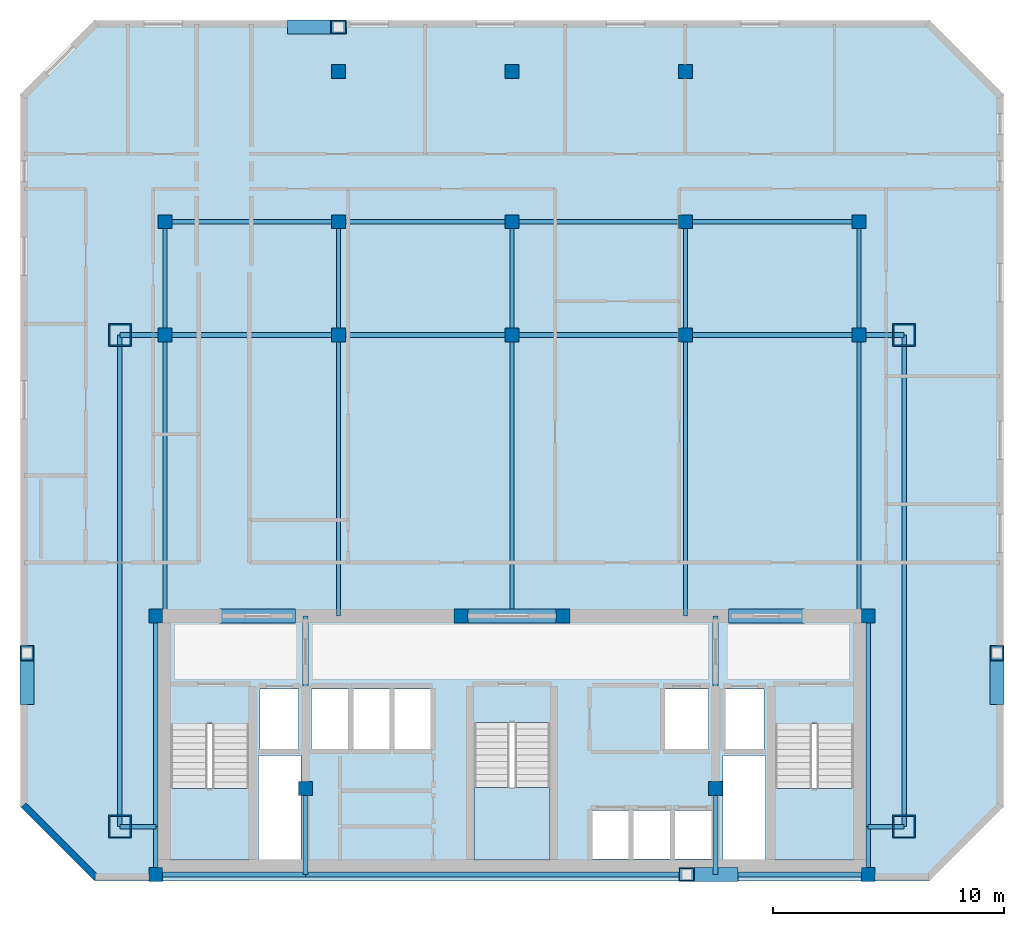
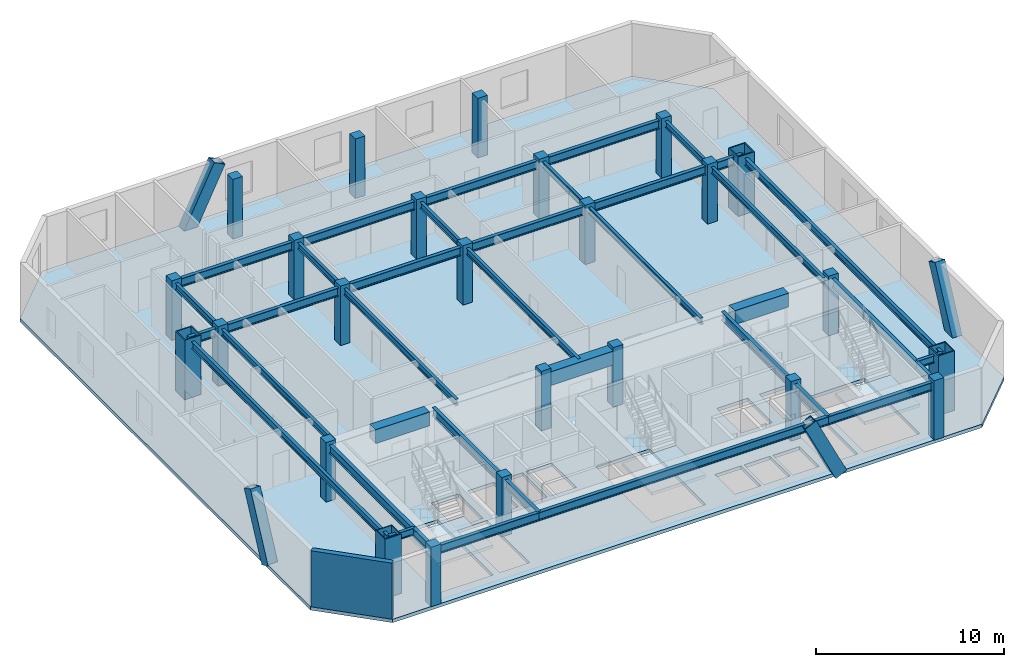
# One storey, part 1 of 7: 38 beams, 25 columns, 4 members, 4 slabs, 1 wall, 3 elements without a shape of their own.
"""IFC4 building model written with IfcOpenShell, lengths in metres."""

from ifc_helpers import new_model, si_unit, direction, frame, frame_2d, origin, origin_2d, place, context, subcontext, project, spatial, polyline, rectangle, hollow_rectangle, i_section, outline, extrude, material, layer, layer_set, material_profile, profile_set, type_object, element, aggregate, save


model = new_model("IFC4")

# Units and contexts
model_context = context("Model", 3, precision=1e-05, world=origin(), true_north=direction((0.0, 1.0)))
body_context = subcontext(model_context, "Body", "Model", "MODEL_VIEW")
ifc_project = project(units=[si_unit("LENGTHUNIT", "METRE"), si_unit("AREAUNIT", "SQUARE_METRE"), si_unit("VOLUMEUNIT", "CUBIC_METRE"), si_unit("PLANEANGLEUNIT", "RADIAN"), si_unit("MASSUNIT", "GRAM", prefix="KILO")], contexts=[model_context])

# Site, building, storey
site_placement = place(None, origin())
site = spatial("IfcSite", under=ifc_project, at=site_placement, CompositionType="ELEMENT")
building_placement = place(site_placement, origin())
building = spatial("IfcBuilding", under=site, at=building_placement, Name="Ventersveld Concourse Tower", CompositionType="ELEMENT")
storey_placement = place(building_placement, frame((0.0, 0.0, 231.10009765625)))
storey = spatial("IfcBuildingStorey", under=building, at=storey_placement, Name="L57", CompositionType="ELEMENT", Elevation=231.10009765625)

# Columns
ifc_material_1 = material(Name="Concrete C50/60", Category="concrete")
ifc_material_profile_1 = material_profile(ifc_material_1, rectangle(XDim=0.60009765625, YDim=0.60009765625, at=origin_2d()), Name="RC 600x600")
ifc_profile_set_1 = profile_set([ifc_material_profile_1], Name="Concrete C50/60")
column_type_1 = type_object("IfcColumnType", Name="COL-RC600", PredefinedType="COLUMN", material=ifc_profile_set_1)
for number, where, z_axis, x_axis, name in (
    (1, (13.35009765625, 0.280029296875, 0.0), (0.0, 0.0, 1.0), (1.0, 0.0, 0.0), "L57 Core Spine Column CC-SW"),
    (2, (44.14990234375, 0.280029296875, 0.0), (0.0, 0.0, 1.0), (1.0, 0.0, 0.0), "L57 Core Spine Column CC-SE"),
    (3, (13.35009765625, 11.449951171875, 0.0), (0.0, 0.0, 1.0), (1.0, 0.0, 0.0), "L57 Core Spine Column CC-NW"),
    (4, (44.14990234375, 11.449951171875, 0.0), (0.0, 0.0, 1.0), (1.0, 0.0, 0.0), "L57 Core Spine Column CC-NE"),
    (5, (19.820068359375, 4.0, 0.0), (0.0, 0.0, 1.0), (1.0, 0.0, 0.0), "L57 Core Spine Column CM-1"),
    (6, (37.550048828125, 4.0, 0.0), (0.0, 0.0, 1.0), (1.0, 0.0, 0.0), "L57 Core Spine Column CM-2"),
    (7, (26.550048828125, 11.449951171875, 0.0), (0.0, 0.0, 1.0), (1.0, 0.0, 0.0), "L57 Core Spine Column CM-3"),
    (8, (30.949951171875, 11.449951171875, 0.0), (0.0, 0.0, 1.0), (1.0, 0.0, 0.0), "L57 Core Spine Column CM-4"),
    (9, (13.75, 23.60009765625, 0.0), (0.0, 0.0, 1.0), (1.0, 0.0, 0.0), "L57 Interior Gravity Column X=13.75 Y=23.60"),
    (10, (21.25, 23.60009765625, 0.0), (0.0, 0.0, 1.0), (1.0, 0.0, 0.0), "L57 Interior Gravity Column X=21.25 Y=23.60"),
    (11, (28.75, 23.60009765625, 0.0), (0.0, 0.0, 1.0), (1.0, 0.0, 0.0), "L57 Interior Gravity Column X=28.75 Y=23.60"),
    (12, (36.25, 23.60009765625, 0.0), (0.0, 0.0, 1.0), (1.0, 0.0, 0.0), "L57 Interior Gravity Column X=36.25 Y=23.60"),
    (13, (43.75, 23.60009765625, 0.0), (0.0, 0.0, 1.0), (1.0, 0.0, 0.0), "L57 Interior Gravity Column X=43.75 Y=23.60"),
    (14, (13.75, 28.5, 0.0), (0.0, 0.0, 1.0), (1.0, 0.0, 0.0), "L57 Upper-North Gravity Column X=13.75 Y=28.50"),
    (15, (21.25, 28.5, 0.0), (0.0, 0.0, 1.0), (1.0, 0.0, 0.0), "L57 Upper-North Gravity Column X=21.25 Y=28.50"),
    (16, (28.75, 28.5, 0.0), (0.0, 0.0, 1.0), (1.0, 0.0, 0.0), "L57 Upper-North Gravity Column X=28.75 Y=28.50"),
    (17, (36.25, 28.5, 0.0), (0.0, 0.0, 1.0), (1.0, 0.0, 0.0), "L57 Upper-North Gravity Column X=36.25 Y=28.50"),
    (18, (43.75, 28.5, 0.0), (0.0, 0.0, 1.0), (1.0, 0.0, 0.0), "L57 Upper-North Gravity Column X=43.75 Y=28.50"),
    (19, (21.25, 35.0, 0.0), (0.0, 0.0, 1.0), (1.0, 0.0, 0.0), "L57 Mid-North Column X=21.25 Y=35.00"),
    (20, (28.75, 35.0, 0.0), (0.0, 0.0, 1.0), (1.0, 0.0, 0.0), "L57 Mid-North Column X=28.75 Y=35.00"),
    (21, (36.25, 35.0, 0.0), (0.0, 0.0, 1.0), (1.0, 0.0, 0.0), "L57 Mid-North Column X=36.25 Y=35.00"),
):
    element("IfcColumn", number, at=place(storey_placement, frame(where, z_axis=z_axis, x_axis=x_axis)), inside=storey, type_object=column_type_1, Name=name, PredefinedType="COLUMN", context=body_context, shape_type="SweptSolid", body=[
        extrude(rectangle(XDim=0.60009765625, YDim=0.60009765625, at=origin_2d()), origin(), (0.0, 0.0, 1.0), 3.849853515625),
    ])
ifc_material_2 = material(Name="Structural steel S460ML", Category="steel")
ifc_material_profile_2 = material_profile(ifc_material_2, hollow_rectangle(XDim=1.0, YDim=1.0, WallThickness=0.06005859375, at=origin_2d()), Name="BOX 1000x1000x60")
ifc_profile_set_2 = profile_set([ifc_material_profile_2], Name="Structural steel S460ML")
column_type_2 = type_object("IfcColumnType", Name="MC-1000", PredefinedType="USERDEFINED", material=ifc_profile_set_2)
for number, where, z_axis, x_axis, name in (
    (22, (11.800048828125, 2.35009765625, 0.0), (0.0, 0.0, 1.0), (1.0, 0.0, 0.0), "L57 Corner Mega-Column MC-SW"),
    (23, (45.699951171875, 2.35009765625, 0.0), (0.0, 0.0, 1.0), (1.0, 0.0, 0.0), "L57 Corner Mega-Column MC-SE"),
    (24, (45.699951171875, 23.60009765625, 0.0), (0.0, 0.0, 1.0), (1.0, 0.0, 0.0), "L57 Corner Mega-Column MC-NE"),
    (25, (11.800048828125, 23.60009765625, 0.0), (0.0, 0.0, 1.0), (1.0, 0.0, 0.0), "L57 Corner Mega-Column MC-NW"),
):
    element("IfcColumn", number, at=place(storey_placement, frame(where, z_axis=z_axis, x_axis=x_axis)), inside=storey, type_object=column_type_2, Name=name, ObjectType="MEGA_COLUMN", PredefinedType="USERDEFINED", context=body_context, shape_type="SweptSolid", body=[
        extrude(hollow_rectangle(XDim=1.0, YDim=1.0, WallThickness=0.06005859375, at=origin_2d()), origin(), (0.0, 0.0, 1.0), 3.849853515625),
    ])

# Beams
ifc_material_3 = material(Name="Structural steel S355J2", Category="steel")
ifc_material_profile_3 = material_profile(ifc_material_3, i_section(OverallWidth=0.177978515625, OverallDepth=0.406494140625, WebThickness=0.0078125, FlangeThickness=0.0126953125, FilletRadius=0.01025390625, at=origin_2d()), Name="UB 406x178x60")
ifc_profile_set_3 = profile_set([ifc_material_profile_3], Name="Structural steel S355J2")
beam_type_1 = type_object("IfcBeamType", Name="BM-UB406", PredefinedType="BEAM", material=ifc_profile_set_3)
beam_1_placement = place(storey_placement, frame((13.75, 11.449951171875, 3.4267578125), z_axis=(0.0, 1.0, 0.0), x_axis=(-1.0, 0.0, 0.0)))
element("IfcBeam", 26, at=beam_1_placement, inside=storey, type_object=beam_type_1, Name="L57 N-S Composite Floor Beam South X=13.75", PredefinedType="BEAM", context=body_context, shape_type="SweptSolid", body=[
    extrude(i_section(OverallWidth=0.177978515625, OverallDepth=0.406494140625, WebThickness=0.0078125, FlangeThickness=0.0126953125, FilletRadius=0.01025390625, at=origin_2d()), origin(), (0.0, 0.0, 1.0), 12.150146484375),
])
beam_2_placement = place(storey_placement, frame((13.75, 23.60009765625, 3.4267578125), z_axis=(0.0, 1.0, 0.0), x_axis=(-1.0, 0.0, 0.0)))
element("IfcBeam", 27, at=beam_2_placement, inside=storey, type_object=beam_type_1, Name="L57 N-S Upper-Zone Floor Beam X=13.75", PredefinedType="BEAM", context=body_context, shape_type="SweptSolid", body=[
    extrude(i_section(OverallWidth=0.177978515625, OverallDepth=0.406494140625, WebThickness=0.0078125, FlangeThickness=0.0126953125, FilletRadius=0.01025390625, at=origin_2d()), origin(), (0.0, 0.0, 1.0), 4.89990234375),
])
beam_3_placement = place(storey_placement, frame((21.25, 11.449951171875, 3.4267578125), z_axis=(0.0, 1.0, 0.0), x_axis=(-1.0, 0.0, 0.0)))
element("IfcBeam", 28, at=beam_3_placement, inside=storey, type_object=beam_type_1, Name="L57 N-S Composite Floor Beam South X=21.25", PredefinedType="BEAM", context=body_context, shape_type="SweptSolid", body=[
    extrude(i_section(OverallWidth=0.177978515625, OverallDepth=0.406494140625, WebThickness=0.0078125, FlangeThickness=0.0126953125, FilletRadius=0.01025390625, at=origin_2d()), origin(), (0.0, 0.0, 1.0), 12.150146484375),
])
beam_4_placement = place(storey_placement, frame((21.25, 23.60009765625, 3.4267578125), z_axis=(0.0, 1.0, 0.0), x_axis=(-1.0, 0.0, 0.0)))
element("IfcBeam", 29, at=beam_4_placement, inside=storey, type_object=beam_type_1, Name="L57 N-S Upper-Zone Floor Beam X=21.25", PredefinedType="BEAM", context=body_context, shape_type="SweptSolid", body=[
    extrude(i_section(OverallWidth=0.177978515625, OverallDepth=0.406494140625, WebThickness=0.0078125, FlangeThickness=0.0126953125, FilletRadius=0.01025390625, at=origin_2d()), origin(), (0.0, 0.0, 1.0), 4.89990234375),
])
beam_5_placement = place(storey_placement, frame((28.75, 11.449951171875, 3.4267578125), z_axis=(0.0, 1.0, 0.0), x_axis=(-1.0, 0.0, 0.0)))
element("IfcBeam", 30, at=beam_5_placement, inside=storey, type_object=beam_type_1, Name="L57 N-S Composite Floor Beam South X=28.75", PredefinedType="BEAM", context=body_context, shape_type="SweptSolid", body=[
    extrude(i_section(OverallWidth=0.177978515625, OverallDepth=0.406494140625, WebThickness=0.0078125, FlangeThickness=0.0126953125, FilletRadius=0.01025390625, at=origin_2d()), origin(), (0.0, 0.0, 1.0), 12.150146484375),
])
beam_6_placement = place(storey_placement, frame((28.75, 23.60009765625, 3.4267578125), z_axis=(0.0, 1.0, 0.0), x_axis=(-1.0, 0.0, 0.0)))
element("IfcBeam", 31, at=beam_6_placement, inside=storey, type_object=beam_type_1, Name="L57 N-S Upper-Zone Floor Beam X=28.75", PredefinedType="BEAM", context=body_context, shape_type="SweptSolid", body=[
    extrude(i_section(OverallWidth=0.177978515625, OverallDepth=0.406494140625, WebThickness=0.0078125, FlangeThickness=0.0126953125, FilletRadius=0.01025390625, at=origin_2d()), origin(), (0.0, 0.0, 1.0), 4.89990234375),
])
beam_7_placement = place(storey_placement, frame((36.25, 11.449951171875, 3.4267578125), z_axis=(0.0, 1.0, 0.0), x_axis=(-1.0, 0.0, 0.0)))
element("IfcBeam", 32, at=beam_7_placement, inside=storey, type_object=beam_type_1, Name="L57 N-S Composite Floor Beam South X=36.25", PredefinedType="BEAM", context=body_context, shape_type="SweptSolid", body=[
    extrude(i_section(OverallWidth=0.177978515625, OverallDepth=0.406494140625, WebThickness=0.0078125, FlangeThickness=0.0126953125, FilletRadius=0.01025390625, at=origin_2d()), origin(), (0.0, 0.0, 1.0), 12.150146484375),
])
beam_8_placement = place(storey_placement, frame((36.25, 23.60009765625, 3.4267578125), z_axis=(0.0, 1.0, 0.0), x_axis=(-1.0, 0.0, 0.0)))
element("IfcBeam", 33, at=beam_8_placement, inside=storey, type_object=beam_type_1, Name="L57 N-S Upper-Zone Floor Beam X=36.25", PredefinedType="BEAM", context=body_context, shape_type="SweptSolid", body=[
    extrude(i_section(OverallWidth=0.177978515625, OverallDepth=0.406494140625, WebThickness=0.0078125, FlangeThickness=0.0126953125, FilletRadius=0.01025390625, at=origin_2d()), origin(), (0.0, 0.0, 1.0), 4.89990234375),
])
beam_9_placement = place(storey_placement, frame((43.75, 11.449951171875, 3.4267578125), z_axis=(0.0, 1.0, 0.0), x_axis=(-1.0, 0.0, 0.0)))
element("IfcBeam", 34, at=beam_9_placement, inside=storey, type_object=beam_type_1, Name="L57 N-S Composite Floor Beam South X=43.75", PredefinedType="BEAM", context=body_context, shape_type="SweptSolid", body=[
    extrude(i_section(OverallWidth=0.177978515625, OverallDepth=0.406494140625, WebThickness=0.0078125, FlangeThickness=0.0126953125, FilletRadius=0.01025390625, at=origin_2d()), origin(), (0.0, 0.0, 1.0), 12.150146484375),
])
beam_10_placement = place(storey_placement, frame((43.75, 23.60009765625, 3.4267578125), z_axis=(0.0, 1.0, 0.0), x_axis=(-1.0, 0.0, 0.0)))
element("IfcBeam", 35, at=beam_10_placement, inside=storey, type_object=beam_type_1, Name="L57 N-S Upper-Zone Floor Beam X=43.75", PredefinedType="BEAM", context=body_context, shape_type="SweptSolid", body=[
    extrude(i_section(OverallWidth=0.177978515625, OverallDepth=0.406494140625, WebThickness=0.0078125, FlangeThickness=0.0126953125, FilletRadius=0.01025390625, at=origin_2d()), origin(), (0.0, 0.0, 1.0), 4.89990234375),
])
ifc_material_profile_4 = material_profile(ifc_material_1, rectangle(XDim=0.60009765625, YDim=0.89990234375, at=origin_2d()), Name="RC 600x900")
ifc_profile_set_4 = profile_set([ifc_material_profile_4], Name="Concrete C50/60")
beam_type_2 = type_object("IfcBeamType", Name="CB-RC600x900U", PredefinedType="LINTEL", material=ifc_profile_set_4)
beam_11_placement = place(storey_placement, frame((16.10009765625, 11.449951171875, 3.179931640625), z_axis=(1.0, 0.0, 0.0), x_axis=(0.0, 1.0, 0.0)))
element("IfcBeam", 36, at=beam_11_placement, inside=storey, type_object=beam_type_2, Name="L57 Core Coupling Lintel Beam 1", PredefinedType="LINTEL", context=body_context, shape_type="SweptSolid", body=[
    extrude(rectangle(XDim=0.60009765625, YDim=0.89990234375, at=origin_2d()), origin(), (0.0, 0.0, 1.0), 3.2998046875),
])
beam_12_placement = place(storey_placement, frame((26.5, 11.449951171875, 3.179931640625), z_axis=(1.0, 0.0, 0.0), x_axis=(0.0, 1.0, 0.0)))
element("IfcBeam", 37, at=beam_12_placement, inside=storey, type_object=beam_type_2, Name="L57 Core Coupling Lintel Beam 2", PredefinedType="LINTEL", context=body_context, shape_type="SweptSolid", body=[
    extrude(rectangle(XDim=0.60009765625, YDim=0.89990234375, at=origin_2d()), origin(), (0.0, 0.0, 1.0), 4.5),
])
beam_13_placement = place(storey_placement, frame((38.10009765625, 11.449951171875, 3.179931640625), z_axis=(1.0, 0.0, 0.0), x_axis=(0.0, 1.0, 0.0)))
element("IfcBeam", 38, at=beam_13_placement, inside=storey, type_object=beam_type_2, Name="L57 Core Coupling Lintel Beam 3", PredefinedType="LINTEL", context=body_context, shape_type="SweptSolid", body=[
    extrude(rectangle(XDim=0.60009765625, YDim=0.89990234375, at=origin_2d()), origin(), (0.0, 0.0, 1.0), 3.2998046875),
])
ifc_material_profile_5 = material_profile(ifc_material_3, i_section(OverallWidth=0.2119140625, OverallDepth=0.54443359375, WebThickness=0.0126953125, FlangeThickness=0.021240234375, FilletRadius=0.0126953125, at=origin_2d()), Name="UB 533x210x122")
ifc_profile_set_5 = profile_set([ifc_material_profile_5], Name="Structural steel S355J2")
beam_type_3 = type_object("IfcBeamType", Name="GRD-UB533H", PredefinedType="T_BEAM", material=ifc_profile_set_5)
beam_14_placement = place(storey_placement, frame((13.35009765625, 0.280029296875, 3.357666015625), z_axis=(0.0, 1.0, 0.0), x_axis=(-1.0, 0.0, 0.0)))
element("IfcBeam", 39, at=beam_14_placement, inside=storey, type_object=beam_type_3, Name="L57 Core West Tie Beam S", PredefinedType="T_BEAM", context=body_context, shape_type="SweptSolid", body=[
    extrude(i_section(OverallWidth=0.2119140625, OverallDepth=0.54443359375, WebThickness=0.0126953125, FlangeThickness=0.021240234375, FilletRadius=0.0126953125, at=origin_2d()), origin(), (0.0, 0.0, 1.0), 2.070068359375),
])
beam_15_placement = place(storey_placement, frame((13.35009765625, 2.35009765625, 3.357666015625), z_axis=(0.0, 1.0, 0.0), x_axis=(-1.0, 0.0, 0.0)))
element("IfcBeam", 40, at=beam_15_placement, inside=storey, type_object=beam_type_3, Name="L57 Core West Tie Beam N", PredefinedType="T_BEAM", context=body_context, shape_type="SweptSolid", body=[
    extrude(i_section(OverallWidth=0.2119140625, OverallDepth=0.54443359375, WebThickness=0.0126953125, FlangeThickness=0.021240234375, FilletRadius=0.0126953125, at=origin_2d()), origin(), (0.0, 0.0, 1.0), 9.099853515625),
])
beam_16_placement = place(storey_placement, frame((44.14990234375, 0.280029296875, 3.357666015625), z_axis=(0.0, 1.0, 0.0), x_axis=(-1.0, 0.0, 0.0)))
element("IfcBeam", 41, at=beam_16_placement, inside=storey, type_object=beam_type_3, Name="L57 Core East Tie Beam S", PredefinedType="T_BEAM", context=body_context, shape_type="SweptSolid", body=[
    extrude(i_section(OverallWidth=0.2119140625, OverallDepth=0.54443359375, WebThickness=0.0126953125, FlangeThickness=0.021240234375, FilletRadius=0.0126953125, at=origin_2d()), origin(), (0.0, 0.0, 1.0), 2.070068359375),
])
beam_17_placement = place(storey_placement, frame((44.14990234375, 2.35009765625, 3.357666015625), z_axis=(0.0, 1.0, 0.0), x_axis=(-1.0, 0.0, 0.0)))
element("IfcBeam", 42, at=beam_17_placement, inside=storey, type_object=beam_type_3, Name="L57 Core East Tie Beam N", PredefinedType="T_BEAM", context=body_context, shape_type="SweptSolid", body=[
    extrude(i_section(OverallWidth=0.2119140625, OverallDepth=0.54443359375, WebThickness=0.0126953125, FlangeThickness=0.021240234375, FilletRadius=0.0126953125, at=origin_2d()), origin(), (0.0, 0.0, 1.0), 9.099853515625),
])
beam_18_placement = place(storey_placement, frame((13.35009765625, 0.280029296875, 3.357666015625), z_axis=(1.0, 0.0, 0.0), x_axis=(0.0, 1.0, 0.0)))
element("IfcBeam", 43, at=beam_18_placement, inside=storey, type_object=beam_type_3, Name="L57 Core South Tie Beam W", PredefinedType="T_BEAM", context=body_context, shape_type="SweptSolid", body=[
    extrude(i_section(OverallWidth=0.2119140625, OverallDepth=0.54443359375, WebThickness=0.0126953125, FlangeThickness=0.021240234375, FilletRadius=0.0126953125, at=origin_2d()), origin(), (0.0, 0.0, 1.0), 6.469970703125),
])
beam_19_placement = place(storey_placement, frame((19.820068359375, 0.280029296875, 3.357666015625), z_axis=(1.0, 0.0, 0.0), x_axis=(0.0, 1.0, 0.0)))
element("IfcBeam", 44, at=beam_19_placement, inside=storey, type_object=beam_type_3, Name="L57 Core South Tie Beam C", PredefinedType="T_BEAM", context=body_context, shape_type="SweptSolid", body=[
    extrude(i_section(OverallWidth=0.2119140625, OverallDepth=0.54443359375, WebThickness=0.0126953125, FlangeThickness=0.021240234375, FilletRadius=0.0126953125, at=origin_2d()), origin(), (0.0, 0.0, 1.0), 17.72998046875),
])
beam_20_placement = place(storey_placement, frame((37.550048828125, 0.280029296875, 3.357666015625), z_axis=(1.0, 0.0, 0.0), x_axis=(0.0, 1.0, 0.0)))
element("IfcBeam", 45, at=beam_20_placement, inside=storey, type_object=beam_type_3, Name="L57 Core South Tie Beam E", PredefinedType="T_BEAM", context=body_context, shape_type="SweptSolid", body=[
    extrude(i_section(OverallWidth=0.2119140625, OverallDepth=0.54443359375, WebThickness=0.0126953125, FlangeThickness=0.021240234375, FilletRadius=0.0126953125, at=origin_2d()), origin(), (0.0, 0.0, 1.0), 6.599853515625),
])
beam_21_placement = place(storey_placement, frame((19.820068359375, 0.280029296875, 3.357666015625), z_axis=(0.0, 1.0, 0.0), x_axis=(-1.0, 0.0, 0.0)))
element("IfcBeam", 46, at=beam_21_placement, inside=storey, type_object=beam_type_3, Name="L57 Core Spine N-S Tie Beam W1", PredefinedType="T_BEAM", context=body_context, shape_type="SweptSolid", body=[
    extrude(i_section(OverallWidth=0.2119140625, OverallDepth=0.54443359375, WebThickness=0.0126953125, FlangeThickness=0.021240234375, FilletRadius=0.0126953125, at=origin_2d()), origin(), (0.0, 0.0, 1.0), 3.719970703125),
])
beam_22_placement = place(storey_placement, frame((19.820068359375, 4.0, 3.357666015625), z_axis=(0.0, 1.0, 0.0), x_axis=(-1.0, 0.0, 0.0)))
element("IfcBeam", 47, at=beam_22_placement, inside=storey, type_object=beam_type_3, Name="L57 Core Spine N-S Tie Beam W2", PredefinedType="T_BEAM", context=body_context, shape_type="SweptSolid", body=[
    extrude(i_section(OverallWidth=0.2119140625, OverallDepth=0.54443359375, WebThickness=0.0126953125, FlangeThickness=0.021240234375, FilletRadius=0.0126953125, at=origin_2d()), origin(), (0.0, 0.0, 1.0), 7.449951171875),
])
beam_23_placement = place(storey_placement, frame((37.550048828125, 0.280029296875, 3.357666015625), z_axis=(0.0, 1.0, 0.0), x_axis=(-1.0, 0.0, 0.0)))
element("IfcBeam", 48, at=beam_23_placement, inside=storey, type_object=beam_type_3, Name="L57 Core Spine N-S Tie Beam E1", PredefinedType="T_BEAM", context=body_context, shape_type="SweptSolid", body=[
    extrude(i_section(OverallWidth=0.2119140625, OverallDepth=0.54443359375, WebThickness=0.0126953125, FlangeThickness=0.021240234375, FilletRadius=0.0126953125, at=origin_2d()), origin(), (0.0, 0.0, 1.0), 3.719970703125),
])
beam_24_placement = place(storey_placement, frame((37.550048828125, 4.0, 3.357666015625), z_axis=(0.0, 1.0, 0.0), x_axis=(-1.0, 0.0, 0.0)))
element("IfcBeam", 49, at=beam_24_placement, inside=storey, type_object=beam_type_3, Name="L57 Core Spine N-S Tie Beam E2", PredefinedType="T_BEAM", context=body_context, shape_type="SweptSolid", body=[
    extrude(i_section(OverallWidth=0.2119140625, OverallDepth=0.54443359375, WebThickness=0.0126953125, FlangeThickness=0.021240234375, FilletRadius=0.0126953125, at=origin_2d()), origin(), (0.0, 0.0, 1.0), 7.449951171875),
])
beam_25_placement = place(storey_placement, frame((11.800048828125, 23.60009765625, 3.357666015625), z_axis=(1.0, 0.0, 0.0), x_axis=(0.0, 1.0, 0.0)))
element("IfcBeam", 50, at=beam_25_placement, inside=storey, type_object=beam_type_3, Name="L57 Primary E-W Grid Girder Y=23.60 #1", PredefinedType="T_BEAM", context=body_context, shape_type="SweptSolid", body=[
    extrude(i_section(OverallWidth=0.2119140625, OverallDepth=0.54443359375, WebThickness=0.0126953125, FlangeThickness=0.021240234375, FilletRadius=0.0126953125, at=origin_2d()), origin(), (0.0, 0.0, 1.0), 1.949951171875),
])
for number, where, z_axis, x_axis, name in (
    (51, (13.75, 23.60009765625, 3.357666015625), (1.0, 0.0, 0.0), (0.0, 1.0, 0.0), "L57 Primary E-W Grid Girder Y=23.60 #2"),
    (52, (21.25, 23.60009765625, 3.357666015625), (1.0, 0.0, 0.0), (0.0, 1.0, 0.0), "L57 Primary E-W Grid Girder Y=23.60 #3"),
    (53, (28.75, 23.60009765625, 3.357666015625), (1.0, 0.0, 0.0), (0.0, 1.0, 0.0), "L57 Primary E-W Grid Girder Y=23.60 #4"),
    (54, (36.25, 23.60009765625, 3.357666015625), (1.0, 0.0, 0.0), (0.0, 1.0, 0.0), "L57 Primary E-W Grid Girder Y=23.60 #5"),
):
    element("IfcBeam", number, at=place(storey_placement, frame(where, z_axis=z_axis, x_axis=x_axis)), inside=storey, type_object=beam_type_3, Name=name, PredefinedType="T_BEAM", context=body_context, shape_type="SweptSolid", body=[
        extrude(i_section(OverallWidth=0.2119140625, OverallDepth=0.54443359375, WebThickness=0.0126953125, FlangeThickness=0.021240234375, FilletRadius=0.0126953125, at=origin_2d()), origin(), (0.0, 0.0, 1.0), 7.5),
    ])
beam_26_placement = place(storey_placement, frame((43.75, 23.60009765625, 3.357666015625), z_axis=(1.0, 0.0, 0.0), x_axis=(0.0, 1.0, 0.0)))
element("IfcBeam", 55, at=beam_26_placement, inside=storey, type_object=beam_type_3, Name="L57 Primary E-W Grid Girder Y=23.60 #6", PredefinedType="T_BEAM", context=body_context, shape_type="SweptSolid", body=[
    extrude(i_section(OverallWidth=0.2119140625, OverallDepth=0.54443359375, WebThickness=0.0126953125, FlangeThickness=0.021240234375, FilletRadius=0.0126953125, at=origin_2d()), origin(), (0.0, 0.0, 1.0), 1.949951171875),
])
for number, where, z_axis, x_axis, name in (
    (56, (13.75, 28.5, 3.357666015625), (1.0, 0.0, 0.0), (0.0, 1.0, 0.0), "L57 Upper-North E-W Girder Y=28.50 #1"),
    (57, (21.25, 28.5, 3.357666015625), (1.0, 0.0, 0.0), (0.0, 1.0, 0.0), "L57 Upper-North E-W Girder Y=28.50 #2"),
    (58, (28.75, 28.5, 3.357666015625), (1.0, 0.0, 0.0), (0.0, 1.0, 0.0), "L57 Upper-North E-W Girder Y=28.50 #3"),
    (59, (36.25, 28.5, 3.357666015625), (1.0, 0.0, 0.0), (0.0, 1.0, 0.0), "L57 Upper-North E-W Girder Y=28.50 #4"),
):
    element("IfcBeam", number, at=place(storey_placement, frame(where, z_axis=z_axis, x_axis=x_axis)), inside=storey, type_object=beam_type_3, Name=name, PredefinedType="T_BEAM", context=body_context, shape_type="SweptSolid", body=[
        extrude(i_section(OverallWidth=0.2119140625, OverallDepth=0.54443359375, WebThickness=0.0126953125, FlangeThickness=0.021240234375, FilletRadius=0.0126953125, at=origin_2d()), origin(), (0.0, 0.0, 1.0), 7.5),
    ])

# Members
ifc_material_4 = material(Name="Structural steel S355ML", Category="steel")
ifc_material_profile_6 = material_profile(ifc_material_4, hollow_rectangle(XDim=0.60009765625, YDim=0.75, WallThickness=0.0400390625, at=origin_2d()), Name="BOX 750x600x40")
ifc_profile_set_6 = profile_set([ifc_material_profile_6], Name="Structural steel S355ML")
member_type = type_object("IfcMemberType", Name="MB-750x600", PredefinedType="BRACE", material=ifc_profile_set_6)
for number, where, z_axis, x_axis, name in (
    (60, (19.375, 36.919921875, -0.22021484375), (0.437839464193, 0.0, 0.899053170616), (0.0, 1.0, 0.0), "L57 Exterior Mega-Brace N (Module M13)"),
    (61, (38.175048828125, 0.280029296875, -0.22021484375), (-0.437839464193, 0.0, 0.899053170616), (0.0, -1.0, 0.0), "L57 Exterior Mega-Brace S (Module M13)"),
    (62, (7.780029296875, 7.97509765625, -0.22021484375), (0.0, 0.437839464193, 0.899053170616), (-1.0, 0.0, 0.0), "L57 Exterior Mega-Brace W (Module M13)"),
    (63, (49.719970703125, 7.97509765625, -0.22021484375), (0.0, 0.437839464193, 0.899053170616), (-1.0, 0.0, 0.0), "L57 Exterior Mega-Brace E (Module M13)"),
):
    element("IfcMember", number, at=place(storey_placement, frame(where, z_axis=z_axis, x_axis=x_axis)), inside=storey, type_object=member_type, Name=name, PredefinedType="BRACE", context=body_context, shape_type="SweptSolid", body=[
        extrude(hollow_rectangle(XDim=0.60009765625, YDim=0.75, WallThickness=0.0400390625, at=origin_2d()), origin(), (0.0, 0.0, 1.0), 4.282470703125),
    ])

# Beams
ifc_material_profile_7 = material_profile(ifc_material_3, i_section(OverallWidth=0.19140625, OverallDepth=0.4599609375, WebThickness=0.010009765625, FlangeThickness=0.01611328125, FilletRadius=0.01025390625, at=origin_2d()), Name="UB 457x191x82")
ifc_profile_set_7 = profile_set([ifc_material_profile_7], Name="Structural steel S355J2")
beam_type_4 = type_object("IfcBeamType", Name="SPD-UB457", PredefinedType="SPANDREL", material=ifc_profile_set_7)
for number, where, z_axis, x_axis, name in (
    (64, (11.800048828125, 2.35009765625, 3.39990234375), (1.0, 0.0, 0.0), (0.0, 1.0, 0.0), "L57 SW Spandrel Beam"),
    (65, (44.14990234375, 2.35009765625, 3.39990234375), (1.0, 0.0, 0.0), (0.0, 1.0, 0.0), "L57 SE Spandrel Beam"),
):
    element("IfcBeam", number, at=place(storey_placement, frame(where, z_axis=z_axis, x_axis=x_axis)), inside=storey, type_object=beam_type_4, Name=name, PredefinedType="SPANDREL", context=body_context, shape_type="SweptSolid", body=[
        extrude(i_section(OverallWidth=0.19140625, OverallDepth=0.4599609375, WebThickness=0.010009765625, FlangeThickness=0.01611328125, FilletRadius=0.01025390625, at=origin_2d()), origin(), (0.0, 0.0, 1.0), 1.550048828125),
    ])
for number, where, z_axis, x_axis, name in (
    (66, (11.800048828125, 2.35009765625, 3.39990234375), (0.0, 1.0, 0.0), (-1.0, 0.0, 0.0), "L57 West Spandrel Beam"),
    (67, (45.699951171875, 2.35009765625, 3.39990234375), (0.0, 1.0, 0.0), (-1.0, 0.0, 0.0), "L57 East Spandrel Beam"),
):
    element("IfcBeam", number, at=place(storey_placement, frame(where, z_axis=z_axis, x_axis=x_axis)), inside=storey, type_object=beam_type_4, Name=name, PredefinedType="SPANDREL", context=body_context, shape_type="SweptSolid", body=[
        extrude(i_section(OverallWidth=0.19140625, OverallDepth=0.4599609375, WebThickness=0.010009765625, FlangeThickness=0.01611328125, FilletRadius=0.01025390625, at=origin_2d()), origin(), (0.0, 0.0, 1.0), 21.25),
    ])

# Slab
ifc_layer_1 = layer(ifc_material_1, 0.219970703125)
ifc_layer_set_1 = layer_set([ifc_layer_1], Name="Concrete C50/60")
slab_type_1 = type_object("IfcSlabType", Name="SL-FLR-220", PredefinedType="FLOOR", material=ifc_layer_set_1)
slab_1_placement = place(storey_placement, frame((0.0, 0.0, -0.22021484375)))
element("IfcSlab", 68, at=slab_1_placement, inside=storey, type_object=slab_type_1, Name="L57 Composite Floor Slab", PredefinedType="FLOOR", context=body_context, shape_type="SweptSolid", body=[
    extrude(outline(polyline([(10.699951171875, 0.0), (46.800048828125, 0.0), (50.0, 3.199951171875), (50.0, 34.0), (46.800048828125, 37.199951171875), (10.699951171875, 37.199951171875), (7.5, 34.0), (7.5, 3.199951171875), (10.699951171875, 0.0)]), holes=[polyline([(13.97998046875, 6.794921875), (13.97998046875, 0.89990234375), (17.3798828125, 0.89990234375), (17.3798828125, 6.794921875), (13.97998046875, 6.794921875)]), polyline([(40.1201171875, 6.794921875), (40.1201171875, 0.89990234375), (43.52001953125, 0.89990234375), (43.52001953125, 6.794921875), (40.1201171875, 6.794921875)]), polyline([(27.10009765625, 6.844970703125), (27.10009765625, 0.89990234375), (30.39990234375, 0.89990234375), (30.39990234375, 6.844970703125), (27.10009765625, 6.844970703125)]), polyline([(17.85009765625, 5.699951171875), (19.530029296875, 5.699951171875), (19.530029296875, 8.300048828125), (17.85009765625, 8.300048828125), (17.85009765625, 5.699951171875)]), polyline([(37.969970703125, 5.699951171875), (39.64990234375, 5.699951171875), (39.64990234375, 8.300048828125), (37.969970703125, 8.300048828125), (37.969970703125, 5.699951171875)]), polyline([(35.35009765625, 5.699951171875), (37.25, 5.699951171875), (37.25, 8.300048828125), (35.35009765625, 8.300048828125), (35.35009765625, 5.699951171875)]), polyline([(32.2099609375, 0.949951171875), (33.81005859375, 0.949951171875), (33.81005859375, 3.050048828125), (32.2099609375, 3.050048828125), (32.2099609375, 0.949951171875)]), polyline([(33.989990234375, 0.949951171875), (35.590087890625, 0.949951171875), (35.590087890625, 3.050048828125), (33.989990234375, 3.050048828125), (33.989990234375, 0.949951171875)]), polyline([(35.77001953125, 0.949951171875), (37.3701171875, 0.949951171875), (37.3701171875, 3.050048828125), (35.77001953125, 3.050048828125), (35.77001953125, 0.949951171875)]), polyline([(20.090087890625, 5.699951171875), (21.68994140625, 5.699951171875), (21.68994140625, 8.300048828125), (20.090087890625, 8.300048828125), (20.090087890625, 5.699951171875)]), polyline([(21.8701171875, 5.699951171875), (23.469970703125, 5.699951171875), (23.469970703125, 8.300048828125), (21.8701171875, 8.300048828125), (21.8701171875, 5.699951171875)]), polyline([(23.64990234375, 5.699951171875), (25.25, 5.699951171875), (25.25, 8.300048828125), (23.64990234375, 8.300048828125), (23.64990234375, 5.699951171875)]), polyline([(17.780029296875, 0.919921875), (19.6201171875, 0.919921875), (19.6201171875, 5.419921875), (17.780029296875, 5.419921875), (17.780029296875, 0.919921875)]), polyline([(37.8798828125, 0.919921875), (39.719970703125, 0.919921875), (39.719970703125, 5.419921875), (37.8798828125, 5.419921875), (37.8798828125, 0.919921875)])]), origin(), (0.0, 0.0, 1.0), 0.22021484375),
])

# Stair, slab
stair_type_1 = type_object("IfcStairType", Name="ST-DOG-160", PredefinedType="HALF_TURN_STAIR", material=ifc_material_1)
stair_1_placement = place(storey_placement, origin())
stair_1 = element("IfcStair", 69, at=stair_1_placement, inside=storey, type_object=stair_type_1, Name="L57 Protected Tower Escape Stair ST-01", PredefinedType="HALF_TURN_STAIR")
ifc_layer_2 = layer(ifc_material_1, 0.199951171875)
ifc_layer_set_2 = layer_set([ifc_layer_2], Name="Concrete C50/60")
slab_type_2 = type_object("IfcSlabType", Name="SL-LND-200", PredefinedType="LANDING", material=ifc_layer_set_2)
slab_2_placement = place(storey_placement, frame((0.0, 0.0, 1.724853515625)))
slab_2 = element("IfcSlab", 70, at=slab_2_placement, type_object=slab_type_2, Name="ST-01 landing 1", PredefinedType="LANDING", context=body_context, shape_type="SweptSolid", body=[
    extrude(outline(polyline([(13.97998046875, 4.0), (13.97998046875, 0.89990234375), (17.3798828125, 0.89990234375), (17.3798828125, 4.0), (13.97998046875, 4.0)])), origin(), (0.0, 0.0, 1.0), 0.199951171875),
])
aggregate(stair_1, [slab_2])

stair_2_placement = place(storey_placement, origin())
stair_2 = element("IfcStair", 71, at=stair_2_placement, inside=storey, type_object=stair_type_1, Name="L57 Protected Tower Escape Stair ST-02", PredefinedType="HALF_TURN_STAIR")
slab_3_placement = place(storey_placement, frame((0.0, 0.0, 1.724853515625)))
slab_3 = element("IfcSlab", 72, at=slab_3_placement, type_object=slab_type_2, Name="ST-02 landing 1", PredefinedType="LANDING", context=body_context, shape_type="SweptSolid", body=[
    extrude(outline(polyline([(40.1201171875, 4.0), (40.1201171875, 0.89990234375), (43.52001953125, 0.89990234375), (43.52001953125, 4.0), (40.1201171875, 4.0)])), origin(), (0.0, 0.0, 1.0), 0.199951171875),
])
aggregate(stair_2, [slab_3])

stair_type_2 = type_object("IfcStairType", Name="ST-DOG-155", PredefinedType="HALF_TURN_STAIR", material=ifc_material_1)
stair_3_placement = place(storey_placement, origin())
stair_3 = element("IfcStair", 73, at=stair_3_placement, inside=storey, type_object=stair_type_2, Name="L57 Protected Central Core Escape Stair ST-03", PredefinedType="HALF_TURN_STAIR")
slab_4_placement = place(storey_placement, frame((0.0, 0.0, 1.724853515625)))
slab_4 = element("IfcSlab", 74, at=slab_4_placement, type_object=slab_type_2, Name="ST-03 landing 1", PredefinedType="LANDING", context=body_context, shape_type="SweptSolid", body=[
    extrude(outline(polyline([(27.10009765625, 4.050048828125), (27.10009765625, 0.89990234375), (30.39990234375, 0.89990234375), (30.39990234375, 4.050048828125), (27.10009765625, 4.050048828125)])), origin(), (0.0, 0.0, 1.0), 0.199951171875),
])
aggregate(stair_3, [slab_4])

# Wall
ifc_material_5 = material(Name="Precast concrete C45/55", Category="concrete")
ifc_layer_3 = layer(ifc_material_5, 0.300048828125)
ifc_layer_set_3 = layer_set([ifc_layer_3], Name="Precast concrete C45/55")
wall_type = type_object("IfcWallType", Name="WL-PREC-300", PredefinedType="SOLIDWALL", material=ifc_layer_set_3)
wall_placement = place(storey_placement, frame((7.634521484375, 3.27783203125, 0.0), z_axis=(0.0, 0.0, 1.0), x_axis=(0.707106781187, -0.707106781187, 0.0)))
element("IfcWall", 75, at=wall_placement, inside=storey, type_object=wall_type, Name="L57 Highveld Precast Facade Wall E08", PredefinedType="SOLIDWALL", context=body_context, shape_type="SweptSolid", body=[
    extrude(rectangle(XDim=4.4453125, YDim=0.300048828125, at=frame_2d((2.22265625, 0.0))), origin(), (0.0, 0.0, 1.0), 3.6298828125),
])

save(model, "model.ifc")
